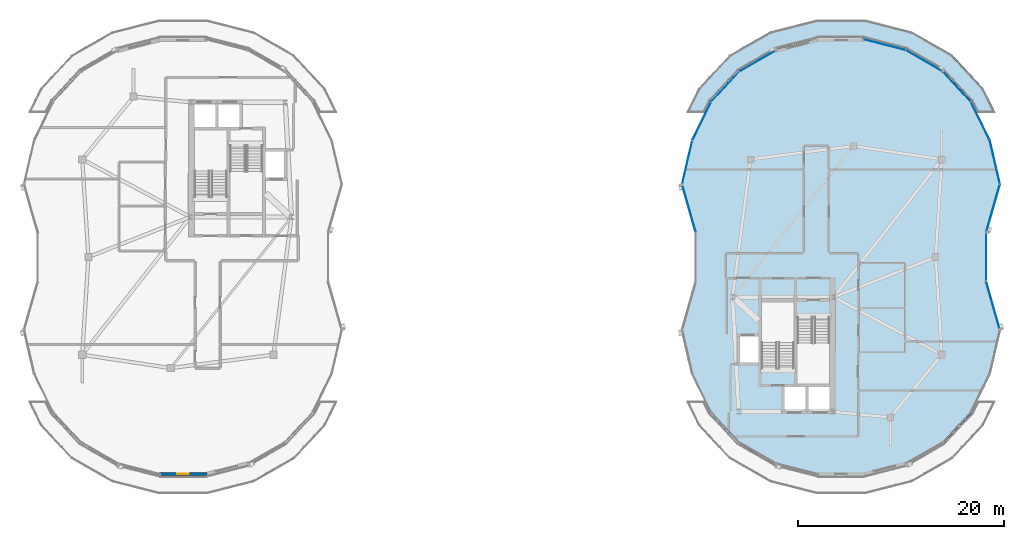
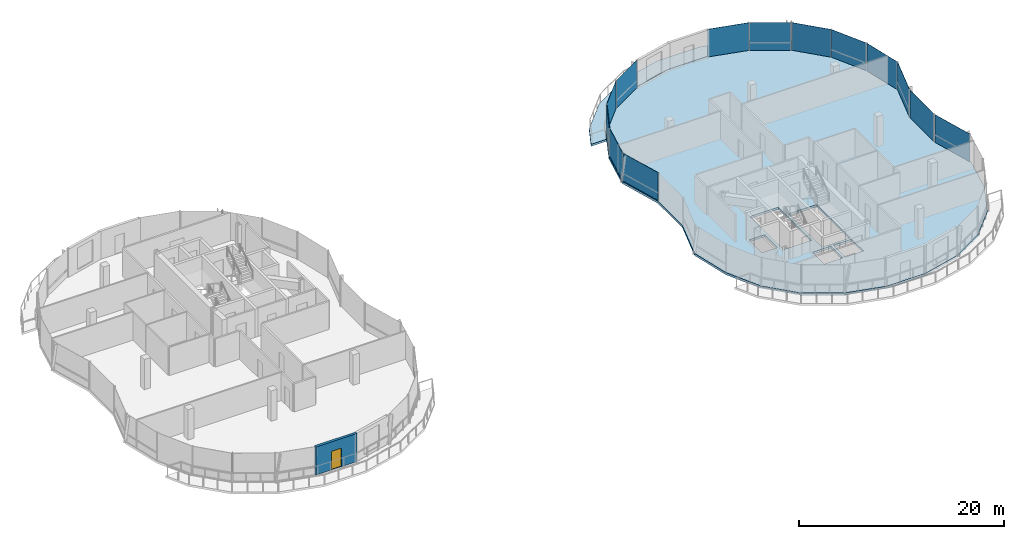
# One storey, part 11 of 20: 13 plates, 2 slabs, 1 door, 1 wall, 1 opening, 3 elements without a shape of their own.
"""IFC4 building model written with IfcOpenShell, lengths in metres."""

from ifc_helpers import new_model, si_unit, direction, frame, frame_2d, origin, origin_2d, place, context, subcontext, project, spatial, polyline, rectangle, outline, extrude, material, layer, layer_set, type_object, element, fill, aggregate, save


model = new_model("IFC4")

# Units and contexts
model_context = context("Model", 3, precision=1e-05, world=origin(), true_north=direction((0.0, 1.0)))
body_context = subcontext(model_context, "Body", "Model", "MODEL_VIEW")
ifc_project = project(units=[si_unit("LENGTHUNIT", "METRE"), si_unit("AREAUNIT", "SQUARE_METRE"), si_unit("VOLUMEUNIT", "CUBIC_METRE"), si_unit("PLANEANGLEUNIT", "RADIAN"), si_unit("MASSUNIT", "GRAM", prefix="KILO"), si_unit("THERMODYNAMICTEMPERATUREUNIT", "KELVIN"), si_unit("POWERUNIT", "WATT")], contexts=[model_context])

# Site, building, storey
site_placement = place(None, origin())
site = spatial("IfcSite", under=ifc_project, at=site_placement, CompositionType="ELEMENT")
building_placement = place(site_placement, origin())
building = spatial("IfcBuilding", under=site, at=building_placement, Name="Cundina Bronze Exchange", CompositionType="ELEMENT")
storey_placement = place(building_placement, frame((0.0, 0.0, 279.199951171875)))
storey = spatial("IfcBuildingStorey", under=building, at=storey_placement, Name="L74", CompositionType="ELEMENT", Elevation=279.199951171875)

# Curtain wall, plates
ifc_material_1 = material(Name="Anodised Bronze Aluminium 6063-T6", Category="aluminium")
curtain_wall_type = type_object("IfcCurtainWallType", Name="CWS-CRN-TMD", PredefinedType="NOTDEFINED", material=ifc_material_1)
curtain_wall_1_placement = place(storey_placement, origin())
curtain_wall_1 = element("IfcCurtainWall", 1, at=curtain_wall_1_placement, inside=storey, type_object=curtain_wall_type, Name="L74 CW-07 Curtain Wall Run CWR-L74-E1", PredefinedType="NOTDEFINED")
ifc_material_2 = material(Name="Clear Low-E Insulating Glass 26mm", Category="glass")
ifc_layer_1 = layer(ifc_material_2, 0.02587890625, Name="Clear Low-E Insulating Glass 26mm", Category="glass")
ifc_layer_set_1 = layer_set([ifc_layer_1], Name="Clear Low-E Insulating Glass 26mm")
plate_type_1 = type_object("IfcPlateType", Name="PLT-GLZ-CLR26", PredefinedType="CURTAIN_PANEL", material=ifc_layer_set_1)
plate_1_placement = place(storey_placement, frame((46.95751953125, 9.2041015625, 0.02001953125), z_axis=(0.0, 0.0, 1.0), x_axis=(-0.225240145856, 0.974303277576, 0.0)))
plate_1 = element("IfcPlate", 2, at=plate_1_placement, type_object=plate_type_1, Name="CW-07 Glazed Panel 2", PredefinedType="CURTAIN_PANEL", context=body_context, shape_type="SweptSolid", body=[
    extrude(rectangle(XDim=4.3408203125, YDim=0.02587890625, at=origin_2d()), origin(), (0.0, 0.0, 1.0), 3.300048828125),
])
plate_2_placement = place(storey_placement, frame((45.55029296875, 13.214599609375, 0.02001953125), z_axis=(0.0, 0.0, 1.0), x_axis=(-0.439233725031, 0.898372826167, 0.0)))
plate_2 = element("IfcPlate", 3, at=plate_2_placement, type_object=plate_type_1, Name="CW-07 Glazed Panel 3", PredefinedType="CURTAIN_PANEL", context=body_context, shape_type="SweptSolid", body=[
    extrude(rectangle(XDim=4.080810546875, YDim=0.02587890625, at=origin_2d()), origin(), (0.0, 0.0, 1.0), 3.300048828125),
])
plate_3_placement = place(storey_placement, frame((43.26318359375, 16.557861328125, 0.02001953125), z_axis=(0.0, 0.0, 1.0), x_axis=(-0.680503489145, 0.732744840488, 0.0)))
plate_3 = element("IfcPlate", 4, at=plate_3_placement, type_object=plate_type_1, Name="CW-07 Glazed Panel 4", PredefinedType="CURTAIN_PANEL", context=body_context, shape_type="SweptSolid", body=[
    extrude(rectangle(XDim=3.98779296875, YDim=0.02587890625, at=origin_2d()), origin(), (0.0, 0.0, 1.0), 3.300048828125),
])
plate_4_placement = place(storey_placement, frame((40.09521484375, 19.072998046875, 0.02001953125), z_axis=(0.0, 0.0, 1.0), x_axis=(-0.866452692699, 0.499259182503, 0.0)))
plate_4 = element("IfcPlate", 5, at=plate_4_placement, type_object=plate_type_1, Name="CW-07 Glazed Panel 5", PredefinedType="CURTAIN_PANEL", context=body_context, shape_type="SweptSolid", body=[
    extrude(rectangle(XDim=4.07421875, YDim=0.02587890625, at=origin_2d()), origin(), (0.0, 0.0, 1.0), 3.300048828125),
])

curtain_wall_2_placement = place(storey_placement, origin())
curtain_wall_2 = element("IfcCurtainWall", 6, at=curtain_wall_2_placement, inside=storey, type_object=curtain_wall_type, Name="L74 CW-07 Curtain Wall Run CWR-L74-E2", PredefinedType="NOTDEFINED")
plate_5_placement = place(storey_placement, frame((23.90478515625, 19.072998046875, 0.02001953125), z_axis=(0.0, 0.0, 1.0), x_axis=(-0.866452692699, -0.499259182503, 0.0)))
plate_5 = element("IfcPlate", 7, at=plate_5_placement, type_object=plate_type_1, Name="CW-07 Glazed Panel 1", PredefinedType="CURTAIN_PANEL", context=body_context, shape_type="SweptSolid", body=[
    extrude(rectangle(XDim=4.07421875, YDim=0.02587890625, at=origin_2d()), origin(), (0.0, 0.0, 1.0), 3.300048828125),
])
plate_6_placement = place(storey_placement, frame((20.73681640625, 16.557861328125, 0.02001953125), z_axis=(0.0, 0.0, 1.0), x_axis=(-0.680503489145, -0.732744840488, 0.0)))
plate_6 = element("IfcPlate", 8, at=plate_6_placement, type_object=plate_type_1, Name="CW-07 Glazed Panel 2", PredefinedType="CURTAIN_PANEL", context=body_context, shape_type="SweptSolid", body=[
    extrude(rectangle(XDim=3.98779296875, YDim=0.02587890625, at=origin_2d()), origin(), (0.0, 0.0, 1.0), 3.300048828125),
])
plate_7_placement = place(storey_placement, frame((18.44970703125, 13.214599609375, 0.02001953125), z_axis=(0.0, 0.0, 1.0), x_axis=(-0.439233725031, -0.898372826167, 0.0)))
plate_7 = element("IfcPlate", 9, at=plate_7_placement, type_object=plate_type_1, Name="CW-07 Glazed Panel 3", PredefinedType="CURTAIN_PANEL", context=body_context, shape_type="SweptSolid", body=[
    extrude(rectangle(XDim=4.080810546875, YDim=0.02587890625, at=origin_2d()), origin(), (0.0, 0.0, 1.0), 3.300048828125),
])
plate_8_placement = place(storey_placement, frame((17.04248046875, 9.2041015625, 0.02001953125), z_axis=(0.0, 0.0, 1.0), x_axis=(-0.225240145856, -0.974303277576, 0.0)))
plate_8 = element("IfcPlate", 10, at=plate_8_placement, type_object=plate_type_1, Name="CW-07 Glazed Panel 4", PredefinedType="CURTAIN_PANEL", context=body_context, shape_type="SweptSolid", body=[
    extrude(rectangle(XDim=4.3408203125, YDim=0.02587890625, at=origin_2d()), origin(), (0.0, 0.0, 1.0), 3.300048828125),
])

curtain_wall_3_placement = place(storey_placement, origin())
curtain_wall_3 = element("IfcCurtainWall", 11, at=curtain_wall_3_placement, inside=storey, type_object=curtain_wall_type, Name="L74 CW-07 Curtain Wall Run CWR-L74-E4", PredefinedType="NOTDEFINED")
plate_9_placement = place(storey_placement, frame((46.790771484375, -4.759521484375, 0.02001953125), z_axis=(0.0, 0.0, 1.0), x_axis=(-0.274563444462, 0.961568986067, 0.0)))
plate_9 = element("IfcPlate", 12, at=plate_9_placement, type_object=plate_type_1, Name="CW-07 Glazed Panel 5", PredefinedType="CURTAIN_PANEL", context=body_context, shape_type="SweptSolid", body=[
    extrude(rectangle(XDim=4.768798828125, YDim=0.02587890625, at=origin_2d()), origin(), (0.0, 0.0, 1.0), 3.300048828125),
])
plate_10_placement = place(storey_placement, frame((46.1201171875, 0.0, 0.02001953125), z_axis=(0.0, 0.0, 1.0), x_axis=(0.0, 1.0, 0.0)))
plate_10 = element("IfcPlate", 13, at=plate_10_placement, type_object=plate_type_1, Name="CW-07 Glazed Panel 6", PredefinedType="CURTAIN_PANEL", context=body_context, shape_type="SweptSolid", body=[
    extrude(rectangle(XDim=4.701904296875, YDim=0.02587890625, at=origin_2d()), origin(), (0.0, 0.0, 1.0), 3.300048828125),
])
aggregate(curtain_wall_3, [plate_9, plate_10])

# Plate
ifc_material_3 = material(Name="Dark Bronze Spandrel Glass Panel 32mm", Category="glass")
ifc_layer_2 = layer(ifc_material_3, 0.031982421875, Name="Dark Bronze Spandrel Glass Panel 32mm", Category="glass")
ifc_layer_set_2 = layer_set([ifc_layer_2], Name="Dark Bronze Spandrel Glass Panel 32mm")
plate_type_2 = type_object("IfcPlateType", Name="PLT-SPN-BRZ32", PredefinedType="CURTAIN_PANEL", material=ifc_layer_set_2)
plate_11_placement = place(storey_placement, frame((46.790771484375, 4.759521484375, 0.02001953125), z_axis=(0.0, 0.0, 1.0), x_axis=(0.274563444462, 0.961568986067, 0.0)))
plate_11 = element("IfcPlate", 14, at=plate_11_placement, type_object=plate_type_2, Name="CW-07 Glazed Panel 1", PredefinedType="CURTAIN_PANEL", context=body_context, shape_type="SweptSolid", body=[
    extrude(rectangle(XDim=4.768798828125, YDim=0.031982421875, at=origin_2d()), origin(), (0.0, 0.0, 1.0), 3.300048828125),
])

plate_12_placement = place(storey_placement, frame((36.234619140625, 20.635009765625, 0.02001953125), z_axis=(0.0, 0.0, 1.0), x_axis=(-0.968743556079, 0.24806435164, 0.0)))
plate_12 = element("IfcPlate", 15, at=plate_12_placement, type_object=plate_type_2, Name="CW-07 Glazed Panel 6", PredefinedType="CURTAIN_PANEL", context=body_context, shape_type="SweptSolid", body=[
    extrude(rectangle(XDim=4.207275390625, YDim=0.031982421875, at=origin_2d()), origin(), (0.0, 0.0, 1.0), 3.300048828125),
])

aggregate(curtain_wall_1, [plate_11, plate_1, plate_2, plate_3, plate_4, plate_12])

plate_13_placement = place(storey_placement, frame((17.209228515625, 4.759521484375, 0.02001953125), z_axis=(0.0, 0.0, 1.0), x_axis=(0.274563444462, -0.961568986067, 0.0)))
plate_13 = element("IfcPlate", 16, at=plate_13_placement, type_object=plate_type_2, Name="CW-07 Glazed Panel 5", PredefinedType="CURTAIN_PANEL", context=body_context, shape_type="SweptSolid", body=[
    extrude(rectangle(XDim=4.768798828125, YDim=0.031982421875, at=origin_2d()), origin(), (0.0, 0.0, 1.0), 3.300048828125),
])

aggregate(curtain_wall_2, [plate_5, plate_6, plate_7, plate_8, plate_13])

# Slabs
ifc_material_4 = material(Name="Concrete C50/60", Category="concrete")
ifc_layer_3 = layer(ifc_material_4, 0.260009765625, Name="Concrete C50/60", Category="concrete")
ifc_layer_set_3 = layer_set([ifc_layer_3], Name="Concrete C50/60")
slab_type_1 = type_object("IfcSlabType", Name="SLB-OFF-260", PredefinedType="FLOOR", material=ifc_layer_set_3)
slab_1_placement = place(storey_placement, frame((0.0, 0.0, -0.260009765625)))
element("IfcSlab", 17, at=slab_1_placement, inside=storey, type_object=slab_type_1, Name="L74 Leg E Structural Floor Slab", PredefinedType="FLOOR", context=body_context, shape_type="SweptSolid", body=[
    extrude(outline(polyline([(46.219970703125, 2.39599609375), (47.553955078125, 7.068115234375), (46.555908203125, 11.385009765625), (44.72412109375, 15.132080078125), (41.948974609375, 18.1201171875), (38.341064453125, 20.198974609375), (34.177978515625, 21.264892578125), (29.822021484375, 21.264892578125), (25.658935546875, 20.198974609375), (22.051025390625, 18.1201171875), (19.27587890625, 15.132080078125), (17.444091796875, 11.385009765625), (16.446044921875, 7.068115234375), (17.780029296875, 2.39599609375), (17.780029296875, -2.39599609375), (16.446044921875, -7.068115234375), (17.444091796875, -11.385009765625), (19.27587890625, -15.132080078125), (22.051025390625, -18.1201171875), (25.658935546875, -20.198974609375), (29.822021484375, -21.264892578125), (34.177978515625, -21.264892578125), (38.341064453125, -20.198974609375), (41.948974609375, -18.1201171875), (44.72412109375, -15.132080078125), (46.555908203125, -11.385009765625), (47.553955078125, -7.068115234375), (46.219970703125, -2.39599609375), (46.219970703125, 2.39599609375)]), holes=[polyline([(27.739990234375, -5.85009765625), (27.739990234375, -12.35009765625), (30.89990234375, -12.35009765625), (30.89990234375, -5.85009765625), (27.739990234375, -5.85009765625)]), polyline([(27.43994140625, -10.85009765625), (27.43994140625, -4.35009765625), (24.280029296875, -4.35009765625), (24.280029296875, -10.85009765625), (27.43994140625, -10.85009765625)]), polyline([(22.179931640625, -7.75), (23.97998046875, -7.75), (23.97998046875, -10.25), (22.179931640625, -10.25), (22.179931640625, -7.75)]), polyline([(28.85009765625, -12.64990234375), (30.89990234375, -12.64990234375), (30.89990234375, -14.949951171875), (28.85009765625, -14.949951171875), (28.85009765625, -12.64990234375)]), polyline([(26.5, -12.64990234375), (28.550048828125, -12.64990234375), (28.550048828125, -14.949951171875), (26.5, -14.949951171875), (26.5, -12.64990234375)])]), origin(), (0.0, 0.0, 1.0), 0.260009765625),
])
ifc_material_5 = material(Name="Concrete C40/50", Category="concrete")
ifc_layer_4 = layer(ifc_material_5, 0.25, Name="Concrete C40/50", Category="concrete")
ifc_layer_set_4 = layer_set([ifc_layer_4], Name="Concrete C40/50")
slab_type_2 = type_object("IfcSlabType", Name="SLB-TER-250", PredefinedType="FLOOR", material=ifc_layer_set_4)
slab_2_placement = place(storey_placement, frame((0.0, 0.0, -0.25)))
element("IfcSlab", 18, at=slab_2_placement, inside=storey, type_object=slab_type_2, Name="L74 Leg E N Planted Crown Terrace Slab", PredefinedType="FLOOR", context=body_context, shape_type="SweptSolid", body=[
    extrude(outline(polyline([(18.14111328125, 16.405029296875), (21.156982421875, 19.64404296875), (25.0869140625, 21.89794921875), (29.6259765625, 23.053955078125), (34.3740234375, 23.053955078125), (38.9130859375, 21.89794921875), (42.843017578125, 19.64404296875), (45.85888671875, 16.405029296875), (47.035400390625, 14.0), (45.294189453125, 14.0), (44.737548828125, 15.138671875), (44.73681640625, 15.139892578125), (44.73583984375, 15.14111328125), (44.735107421875, 15.14208984375), (41.9599609375, 18.130126953125), (41.958984375, 18.13134765625), (41.957763671875, 18.132080078125), (41.95654296875, 18.133056640625), (38.348388671875, 20.2119140625), (38.347412109375, 20.212646484375), (38.345947265625, 20.213134765625), (38.3447265625, 20.21337890625), (34.181640625, 21.279541015625), (34.180419921875, 21.27978515625), (34.17919921875, 21.27978515625), (34.177978515625, 21.280029296875), (29.822021484375, 21.280029296875), (29.82080078125, 21.27978515625), (29.819580078125, 21.27978515625), (29.818359375, 21.279541015625), (25.6552734375, 20.21337890625), (25.654052734375, 20.213134765625), (25.652587890625, 20.212646484375), (25.651611328125, 20.2119140625), (22.04345703125, 18.133056640625), (22.042236328125, 18.132080078125), (22.041015625, 18.13134765625), (22.0400390625, 18.130126953125), (19.264892578125, 15.14208984375), (19.26416015625, 15.14111328125), (19.26318359375, 15.139892578125), (19.262451171875, 15.138671875), (18.705810546875, 14.0), (16.964599609375, 14.0), (18.14111328125, 16.405029296875)])), origin(), (0.0, 0.0, 1.0), 0.25),
])

# Wall, opening, door
ifc_material_6 = material(Name="Precast Concrete C45/55", Category="concrete")
ifc_layer_5 = layer(ifc_material_6, 0.280029296875, Name="Precast Concrete C45/55", Category="concrete")
ifc_layer_set_5 = layer_set([ifc_layer_5], Name="Precast Concrete C45/55")
wall_type = type_object("IfcWallType", Name="WL-EXT-280", PredefinedType="SOLIDWALL", material=ifc_layer_set_5)
wall_placement = place(storey_placement, frame((-34.32177734375, -21.105712890625, 0.0), z_axis=(0.0, 0.0, 1.0), x_axis=(1.0, 0.0, 0.0)))
wall = element("IfcWall", 19, at=wall_placement, inside=storey, type_object=wall_type, Name="L74 Leg W Crown Terrace Wall 20", PredefinedType="SOLIDWALL", context=body_context, shape_type="SweptSolid", body=[
    extrude(rectangle(XDim=4.6435546875, YDim=0.280029296875, at=frame_2d((2.32177734375, 0.0))), origin(), (0.0, 0.0, 1.0), 3.340087890625),
])
opening_placement = place(wall_placement, frame((1.77197265625, 0.0, 0.0)))
opening = element("IfcOpeningElement", 20, at=opening_placement, cuts=wall, Name="Opening DT-01", PredefinedType="OPENING", context=body_context, shape_type="SweptSolid", body=[
    extrude(rectangle(XDim=1.10009765625, YDim=2.199951171875, at=frame_2d((0.550048828125, 1.10009765625))), frame((0.0, 0.14990234375, 0.0), z_axis=(0.0, -1.0, 0.0), x_axis=(1.0, 0.0, 0.0)), (0.0, 0.0, 1.0), 0.300048828125),
])
door_type = type_object("IfcDoorType", Name="DR-TER-1100", OperationType="NOTDEFINED", PredefinedType="DOOR", material=ifc_material_1)
door_placement = place(opening_placement, origin())
door = element("IfcDoor", 21, at=door_placement, inside=storey, type_object=door_type, Name="L74 Leg W Planted Terrace Access Door 20", OperationType="SINGLE_SWING_RIGHT", OverallHeight=2.199951171875, OverallWidth=1.10009765625, PredefinedType="DOOR", context=body_context, shape_type="SweptSolid", body=[
    extrude(rectangle(XDim=1.10009765625, YDim=2.199951171875, at=frame_2d((0.550048828125, 1.10009765625))), frame((0.0, 0.02490234375, 0.0), z_axis=(0.0, -1.0, 0.0), x_axis=(1.0, 0.0, 0.0)), (0.0, 0.0, 1.0), 0.050048828125),
])
fill(opening, door)

save(model, "model.ifc")
